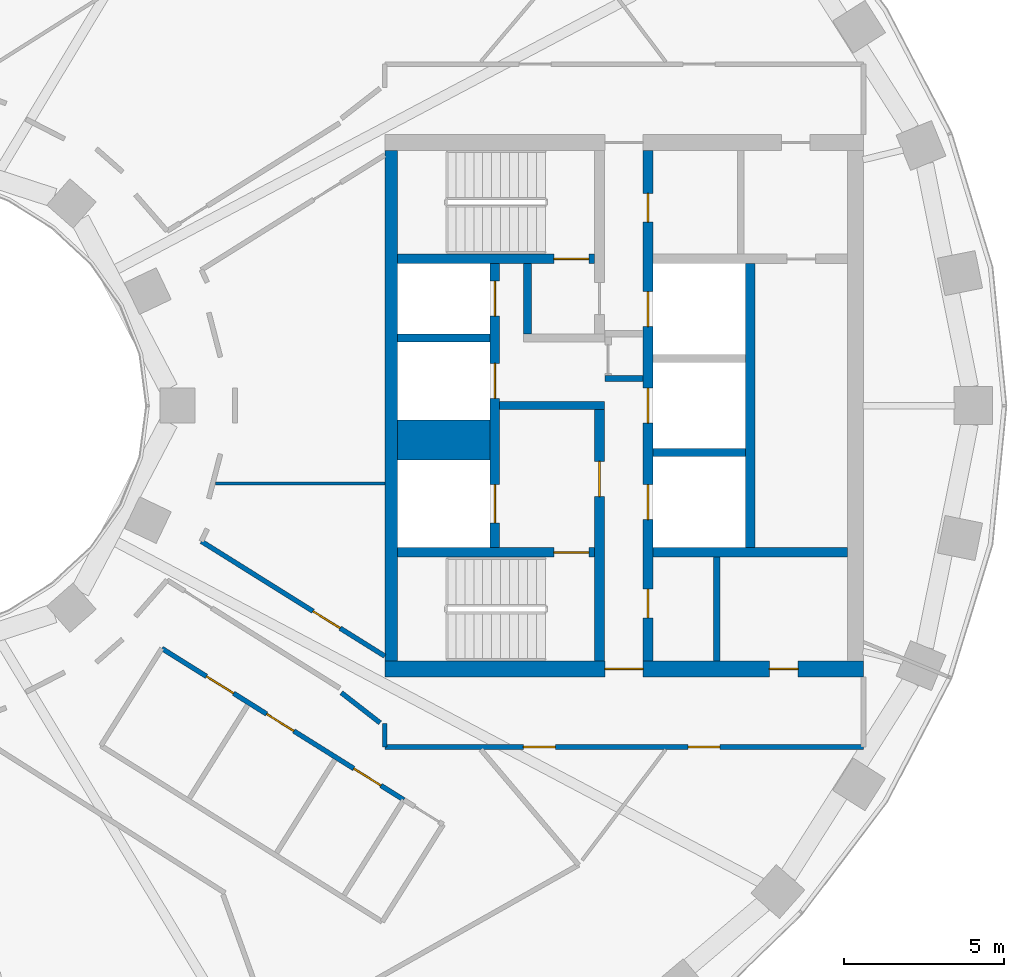
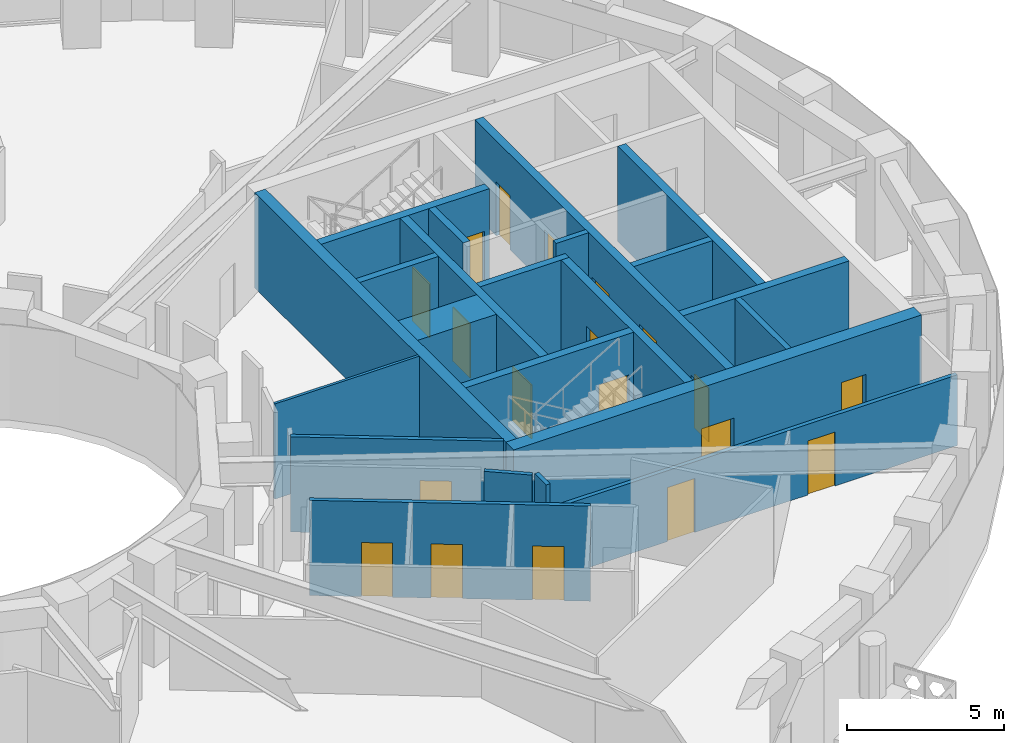
# One storey, part 5 of 15: 22 walls, 19 doors, 19 openings.
"""IFC4 building model written with IfcOpenShell, lengths in metres."""

from ifc_helpers import new_model, si_unit, direction, frame, frame_2d, origin, place, context, subcontext, project, spatial, rectangle, extrude, material, layer, layer_set, type_object, element, fill, save


model = new_model("IFC4")

# Units and contexts
model_context = context("Model", 3, precision=1e-05, world=origin(), true_north=direction((0.0, 1.0)))
body_context = subcontext(model_context, "Body", "Model", "MODEL_VIEW")
ifc_project = project(units=[si_unit("LENGTHUNIT", "METRE"), si_unit("AREAUNIT", "SQUARE_METRE"), si_unit("VOLUMEUNIT", "CUBIC_METRE"), si_unit("PLANEANGLEUNIT", "RADIAN"), si_unit("MASSUNIT", "GRAM", prefix="KILO")], contexts=[model_context])

# Site, building, storey
site_placement = place(None, origin())
site = spatial("IfcSite", under=ifc_project, at=site_placement, CompositionType="ELEMENT")
building_placement = place(site_placement, origin())
building = spatial("IfcBuilding", under=site, at=building_placement, Name="Noorbagh Ring Tower", CompositionType="ELEMENT")
storey_placement = place(building_placement, frame((0.0, 0.0, 158.0)))
storey = spatial("IfcBuildingStorey", under=building, at=storey_placement, Name="L36", CompositionType="ELEMENT", Elevation=158.0)

# Walls
ifc_material_1 = material(Name="Gypsum board on steel studs", Category="steel")
ifc_layer_1 = layer(ifc_material_1, 0.199951171875)
ifc_layer_set_1 = layer_set([ifc_layer_1], Name="Gypsum board on steel studs")
wall_type_1 = type_object("IfcWallType", Name="CORE-PARTITION-200", PredefinedType="PARTITIONING", material=ifc_layer_set_1)
wall_1_placement = place(storey_placement, frame((23.39990234375, 0.85009765625, 0.0), z_axis=(0.0, 0.0, 1.0), x_axis=(1.0, 0.0, 0.0)))
element("IfcWall", 1, at=wall_1_placement, inside=storey, type_object=wall_type_1, Name="Core partition E", PredefinedType="PARTITIONING", context=body_context, shape_type="SweptSolid", body=[
    extrude(rectangle(XDim=1.2001953125, YDim=0.199951171875, at=frame_2d((0.60009765625, 0.0))), origin(), (0.0, 0.0, 1.0), 3.699951171875),
])
wall_2_placement = place(storey_placement, frame((26.89990234375, -8.0, 0.0), z_axis=(0.0, 0.0, 1.0), x_axis=(0.0, 1.0, 0.0)))
element("IfcWall", 2, at=wall_2_placement, inside=storey, type_object=wall_type_1, Name="Core partition E", PredefinedType="PARTITIONING", context=body_context, shape_type="SweptSolid", body=[
    extrude(rectangle(XDim=3.25, YDim=0.199951171875, at=frame_2d((1.625, 0.0))), origin(), (0.0, 0.0, 1.0), 3.699951171875),
])
ifc_material_2 = material(Name="Concrete C60/75", Category="concrete")
ifc_layer_2 = layer(ifc_material_2, 1.25)
ifc_layer_set_2 = layer_set([ifc_layer_2], Name="Concrete C60/75")
wall_type_2 = type_object("IfcWallType", Name="CORE-WALL-1250-C60-75-EI120", PredefinedType="SHEAR", material=ifc_layer_set_2)
wall_3_placement = place(storey_placement, frame((16.89990234375, -1.074951171875, 0.0), z_axis=(0.0, 0.0, 1.0), x_axis=(1.0, 0.0, 0.0)))
element("IfcWall", 3, at=wall_3_placement, inside=storey, type_object=wall_type_2, Name="Core wall E", PredefinedType="SHEAR", context=body_context, shape_type="SweptSolid", body=[
    extrude(rectangle(XDim=2.900146484375, YDim=1.25, at=frame_2d((1.4501953125, 0.0))), origin(), (0.0, 0.0, 1.0), 3.699951171875),
])
ifc_material_3 = material(Name="Concrete C60/75", Category="concrete")
ifc_layer_3 = layer(ifc_material_3, 0.25)
ifc_layer_set_3 = layer_set([ifc_layer_3], Name="Concrete C60/75")
wall_type_3 = type_object("IfcWallType", Name="CORE-WALL-250-C60-75-EI120", PredefinedType="SHEAR", material=ifc_layer_set_3)
for number, where, z_axis, x_axis, name in (
    (4, (16.89990234375, 2.125, 0.0), (0.0, 0.0, 1.0), (1.0, 0.0, 0.0), "Core wall E"),
    (5, (24.89990234375, -1.47509765625, 0.0), (0.0, 0.0, 1.0), (1.0, 0.0, 0.0), "Core wall E"),
):
    element("IfcWall", number, at=place(storey_placement, frame(where, z_axis=z_axis, x_axis=x_axis)), inside=storey, type_object=wall_type_3, Name=name, PredefinedType="SHEAR", context=body_context, shape_type="SweptSolid", body=[
        extrude(rectangle(XDim=2.900146484375, YDim=0.25, at=frame_2d((1.4501953125, 0.0))), origin(), (0.0, 0.0, 1.0), 3.699951171875),
    ])
ifc_material_4 = material(Name="Concrete C60/75", Category="concrete")
ifc_layer_4 = layer(ifc_material_4, 0.25)
ifc_layer_set_4 = layer_set([ifc_layer_4], Name="Concrete C60/75")
wall_type_4 = type_object("IfcWallType", Name="CORE-WALL-250-C60-75-EI240", PredefinedType="SHEAR", material=ifc_layer_set_4)
wall_4_placement = place(storey_placement, frame((20.10009765625, 0.0, 0.0), z_axis=(0.0, 0.0, 1.0), x_axis=(1.0, 0.0, 0.0)))
element("IfcWall", 6, at=wall_4_placement, inside=storey, type_object=wall_type_4, Name="Core wall E", PredefinedType="SHEAR", context=body_context, shape_type="SweptSolid", body=[
    extrude(rectangle(XDim=3.27978515625, YDim=0.25, at=frame_2d((1.639892578125, 0.0))), origin(), (0.0, 0.0, 1.0), 3.699951171875),
])
wall_5_placement = place(storey_placement, frame((20.97509765625, 2.25, 0.0), z_axis=(0.0, 0.0, 1.0), x_axis=(0.0, 1.0, 0.0)))
element("IfcWall", 7, at=wall_5_placement, inside=storey, type_object=wall_type_4, Name="Core wall E", PredefinedType="SHEAR", context=body_context, shape_type="SweptSolid", body=[
    extrude(rectangle(XDim=2.199951171875, YDim=0.25, at=frame_2d((1.10009765625, 0.0))), origin(), (0.0, 0.0, 1.0), 3.699951171875),
])
ifc_material_5 = material(Name="Concrete C60/75", Category="concrete")
ifc_layer_5 = layer(ifc_material_5, 0.300048828125)
ifc_layer_set_5 = layer_set([ifc_layer_5], Name="Concrete C60/75")
wall_type_5 = type_object("IfcWallType", Name="CORE-WALL-300-C60-75-EI120", PredefinedType="SHEAR", material=ifc_layer_set_5)
wall_6_placement = place(storey_placement, frame((27.949951171875, -4.449951171875, 0.0), z_axis=(0.0, 0.0, 1.0), x_axis=(0.0, 1.0, 0.0)))
element("IfcWall", 8, at=wall_6_placement, inside=storey, type_object=wall_type_5, Name="Core wall E", PredefinedType="SHEAR", context=body_context, shape_type="SweptSolid", body=[
    extrude(rectangle(XDim=8.89990234375, YDim=0.300048828125, at=frame_2d((4.449951171875, 0.0))), origin(), (0.0, 0.0, 1.0), 3.699951171875),
])

# Wall, openings, doors
wall_7_placement = place(storey_placement, frame((19.949951171875, -4.449951171875, 0.0), z_axis=(0.0, 0.0, 1.0), x_axis=(0.0, 1.0, 0.0)))
wall_7 = element("IfcWall", 9, at=wall_7_placement, inside=storey, type_object=wall_type_5, Name="Core wall E", PredefinedType="SHEAR", context=body_context, shape_type="SweptSolid", body=[
    extrude(rectangle(XDim=8.89990234375, YDim=0.300048828125, at=frame_2d((4.449951171875, 0.0))), origin(), (0.0, 0.0, 1.0), 3.699951171875),
])
opening_1_placement = place(wall_7_placement, frame((0.77490234375, 0.0, 0.0)))
opening_1 = element("IfcOpeningElement", 10, at=opening_1_placement, cuts=wall_7, Name="Opening L36-CE01", PredefinedType="OPENING", context=body_context, shape_type="SweptSolid", body=[
    extrude(rectangle(XDim=1.199951171875, YDim=2.10009765625, at=frame_2d((0.60009765625, 1.050048828125))), frame((0.0, 0.16015625, 0.0), z_axis=(0.0, -1.0, 0.0), x_axis=(1.0, 0.0, 0.0)), (0.0, 0.0, 1.0), 0.320068359375),
])
opening_2_placement = place(wall_7_placement, frame((4.675048828125, 0.0, 0.0)))
opening_2 = element("IfcOpeningElement", 11, at=opening_2_placement, cuts=wall_7, Name="Opening L36-CE02", PredefinedType="OPENING", context=body_context, shape_type="SweptSolid", body=[
    extrude(rectangle(XDim=1.10009765625, YDim=2.10009765625, at=frame_2d((0.550048828125, 1.050048828125))), frame((0.0, 0.16015625, 0.0), z_axis=(0.0, -1.0, 0.0), x_axis=(1.0, 0.0, 0.0)), (0.0, 0.0, 1.0), 0.320068359375),
])
opening_3_placement = place(wall_7_placement, frame((7.25, 0.0, 0.0)))
opening_3 = element("IfcOpeningElement", 12, at=opening_3_placement, cuts=wall_7, Name="Opening L36-CE03", PredefinedType="OPENING", context=body_context, shape_type="SweptSolid", body=[
    extrude(rectangle(XDim=1.10009765625, YDim=2.10009765625, at=frame_2d((0.550048828125, 1.050048828125))), frame((0.0, 0.16015625, 0.0), z_axis=(0.0, -1.0, 0.0), x_axis=(1.0, 0.0, 0.0)), (0.0, 0.0, 1.0), 0.320068359375),
])
ifc_material_6 = material(Name="Steel door leaf", Category="steel")
door_type_1 = type_object("IfcDoorType", Name="CORE-DOOR-LD", OperationType="DOUBLE_DOOR_SLIDING", PredefinedType="DOOR", material=ifc_material_6)
door_1_placement = place(opening_2_placement, origin())
door_1 = element("IfcDoor", 13, at=door_1_placement, inside=storey, type_object=door_type_1, Name="Landing door HR7 L36-CE02", OperationType="DOUBLE_DOOR_SLIDING", OverallHeight=2.10009765625, OverallWidth=1.10009765625, PredefinedType="DOOR", context=body_context, shape_type="SweptSolid", body=[
    extrude(rectangle(XDim=1.10009765625, YDim=2.10009765625, at=frame_2d((0.550048828125, 1.050048828125))), frame((0.0, 0.02490234375, 0.0), z_axis=(0.0, -1.0, 0.0), x_axis=(1.0, 0.0, 0.0)), (0.0, 0.0, 1.0), 0.050048828125),
])
fill(opening_2, door_1)
door_2_placement = place(opening_3_placement, origin())
door_2 = element("IfcDoor", 14, at=door_2_placement, inside=storey, type_object=door_type_1, Name="Landing door HR8 L36-CE03", OperationType="DOUBLE_DOOR_SLIDING", OverallHeight=2.10009765625, OverallWidth=1.10009765625, PredefinedType="DOOR", context=body_context, shape_type="SweptSolid", body=[
    extrude(rectangle(XDim=1.10009765625, YDim=2.10009765625, at=frame_2d((0.550048828125, 1.050048828125))), frame((0.0, 0.02490234375, 0.0), z_axis=(0.0, -1.0, 0.0), x_axis=(1.0, 0.0, 0.0)), (0.0, 0.0, 1.0), 0.050048828125),
])
fill(opening_3, door_2)
ifc_material_7 = material(Name="Steel door leaf", Category="steel")
door_type_2 = type_object("IfcDoorType", Name="CORE-DOOR-LDW", OperationType="DOUBLE_DOOR_SLIDING", PredefinedType="DOOR", material=ifc_material_7)
door_3_placement = place(opening_1_placement, origin())
door_3 = element("IfcDoor", 15, at=door_3_placement, inside=storey, type_object=door_type_2, Name="Landing door FF2 L36-CE01", OperationType="DOUBLE_DOOR_SLIDING", OverallHeight=2.10009765625, OverallWidth=1.199951171875, PredefinedType="DOOR", context=body_context, shape_type="SweptSolid", body=[
    extrude(rectangle(XDim=1.199951171875, YDim=2.10009765625, at=frame_2d((0.60009765625, 1.050048828125))), frame((0.0, 0.02490234375, 0.0), z_axis=(0.0, -1.0, 0.0), x_axis=(1.0, 0.0, 0.0)), (0.0, 0.0, 1.0), 0.050048828125),
])
fill(opening_1, door_3)

wall_8_placement = place(storey_placement, frame((24.75, -8.0, 0.0), z_axis=(0.0, 0.0, 1.0), x_axis=(0.0, 1.0, 0.0)))
wall_8 = element("IfcWall", 16, at=wall_8_placement, inside=storey, type_object=wall_type_5, Name="Core wall E", PredefinedType="SHEAR", context=body_context, shape_type="SweptSolid", body=[
    extrude(rectangle(XDim=16.0, YDim=0.300048828125, at=frame_2d((8.0, 0.0))), origin(), (0.0, 0.0, 1.0), 3.699951171875),
])
opening_4_placement = place(wall_8_placement, frame((4.425048828125, 0.0, 0.0)))
opening_4 = element("IfcOpeningElement", 17, at=opening_4_placement, cuts=wall_8, Name="Opening L36-CE04", PredefinedType="OPENING", context=body_context, shape_type="SweptSolid", body=[
    extrude(rectangle(XDim=1.10009765625, YDim=2.10009765625, at=frame_2d((0.550048828125, 1.050048828125))), frame((0.0, 0.16015625, 0.0), z_axis=(0.0, -1.0, 0.0), x_axis=(1.0, 0.0, 0.0)), (0.0, 0.0, 1.0), 0.320068359375),
])
opening_5_placement = place(wall_8_placement, frame((7.449951171875, 0.0, 0.0)))
opening_5 = element("IfcOpeningElement", 18, at=opening_5_placement, cuts=wall_8, Name="Opening L36-CE05", PredefinedType="OPENING", context=body_context, shape_type="SweptSolid", body=[
    extrude(rectangle(XDim=1.10009765625, YDim=2.10009765625, at=frame_2d((0.550048828125, 1.050048828125))), frame((0.0, 0.16015625, 0.0), z_axis=(0.0, -1.0, 0.0), x_axis=(1.0, 0.0, 0.0)), (0.0, 0.0, 1.0), 0.320068359375),
])
opening_6_placement = place(wall_8_placement, frame((10.47509765625, 0.0, 0.0)))
opening_6 = element("IfcOpeningElement", 19, at=opening_6_placement, cuts=wall_8, Name="Opening L36-CE06", PredefinedType="OPENING", context=body_context, shape_type="SweptSolid", body=[
    extrude(rectangle(XDim=1.10009765625, YDim=2.10009765625, at=frame_2d((0.550048828125, 1.050048828125))), frame((0.0, 0.16015625, 0.0), z_axis=(0.0, -1.0, 0.0), x_axis=(1.0, 0.0, 0.0)), (0.0, 0.0, 1.0), 0.320068359375),
])
opening_7_placement = place(wall_8_placement, frame((13.75, 0.0, 0.0)))
opening_7 = element("IfcOpeningElement", 20, at=opening_7_placement, cuts=wall_8, Name="Opening L36-CE13", PredefinedType="OPENING", context=body_context, shape_type="SweptSolid", body=[
    extrude(rectangle(XDim=0.89990234375, YDim=2.10009765625, at=frame_2d((0.449951171875, 1.050048828125))), frame((0.0, 0.16015625, 0.0), z_axis=(0.0, -1.0, 0.0), x_axis=(1.0, 0.0, 0.0)), (0.0, 0.0, 1.0), 0.320068359375),
])
opening_8_placement = place(wall_8_placement, frame((1.35009765625, 0.0, 0.0)))
opening_8 = element("IfcOpeningElement", 21, at=opening_8_placement, cuts=wall_8, Name="Opening L36-CE15", PredefinedType="OPENING", context=body_context, shape_type="SweptSolid", body=[
    extrude(rectangle(XDim=0.89990234375, YDim=2.10009765625, at=frame_2d((0.449951171875, 1.050048828125))), frame((0.0, 0.16015625, 0.0), z_axis=(0.0, -1.0, 0.0), x_axis=(1.0, 0.0, 0.0)), (0.0, 0.0, 1.0), 0.320068359375),
])
ifc_material_8 = material(Name="Steel door leaf", Category="steel")
door_type_3 = type_object("IfcDoorType", Name="CORE-DOOR-DROOM", OperationType="SINGLE_SWING_LEFT", PredefinedType="DOOR", material=ifc_material_8)
door_4_placement = place(opening_7_placement, origin())
door_4 = element("IfcDoor", 22, at=door_4_placement, inside=storey, type_object=door_type_3, Name="Core room door L36-CE13", OperationType="SINGLE_SWING_LEFT", OverallHeight=2.10009765625, OverallWidth=0.89990234375, PredefinedType="DOOR", context=body_context, shape_type="SweptSolid", body=[
    extrude(rectangle(XDim=0.89990234375, YDim=2.10009765625, at=frame_2d((0.449951171875, 1.050048828125))), frame((0.0, 0.02490234375, 0.0), z_axis=(0.0, -1.0, 0.0), x_axis=(1.0, 0.0, 0.0)), (0.0, 0.0, 1.0), 0.050048828125),
])
fill(opening_7, door_4)
door_5_placement = place(opening_8_placement, origin())
door_5 = element("IfcDoor", 23, at=door_5_placement, inside=storey, type_object=door_type_3, Name="Core room door L36-CE15", OperationType="SINGLE_SWING_RIGHT", OverallHeight=2.10009765625, OverallWidth=0.89990234375, PredefinedType="DOOR", context=body_context, shape_type="SweptSolid", body=[
    extrude(rectangle(XDim=0.89990234375, YDim=2.10009765625, at=frame_2d((0.449951171875, 1.050048828125))), frame((0.0, 0.02490234375, 0.0), z_axis=(0.0, -1.0, 0.0), x_axis=(1.0, 0.0, 0.0)), (0.0, 0.0, 1.0), 0.050048828125),
])
fill(opening_8, door_5)
door_6_placement = place(opening_4_placement, origin())
door_6 = element("IfcDoor", 24, at=door_6_placement, inside=storey, type_object=door_type_1, Name="Landing door HR9 L36-CE04", OperationType="DOUBLE_DOOR_SLIDING", OverallHeight=2.10009765625, OverallWidth=1.10009765625, PredefinedType="DOOR", context=body_context, shape_type="SweptSolid", body=[
    extrude(rectangle(XDim=1.10009765625, YDim=2.10009765625, at=frame_2d((0.550048828125, 1.050048828125))), frame((0.0, 0.02490234375, 0.0), z_axis=(0.0, -1.0, 0.0), x_axis=(1.0, 0.0, 0.0)), (0.0, 0.0, 1.0), 0.050048828125),
])
fill(opening_4, door_6)
door_7_placement = place(opening_5_placement, origin())
door_7 = element("IfcDoor", 25, at=door_7_placement, inside=storey, type_object=door_type_1, Name="Landing door HR10 L36-CE05", OperationType="DOUBLE_DOOR_SLIDING", OverallHeight=2.10009765625, OverallWidth=1.10009765625, PredefinedType="DOOR", context=body_context, shape_type="SweptSolid", body=[
    extrude(rectangle(XDim=1.10009765625, YDim=2.10009765625, at=frame_2d((0.550048828125, 1.050048828125))), frame((0.0, 0.02490234375, 0.0), z_axis=(0.0, -1.0, 0.0), x_axis=(1.0, 0.0, 0.0)), (0.0, 0.0, 1.0), 0.050048828125),
])
fill(opening_5, door_7)
door_8_placement = place(opening_6_placement, origin())
door_8 = element("IfcDoor", 26, at=door_8_placement, inside=storey, type_object=door_type_1, Name="Landing door HR11 L36-CE06", OperationType="DOUBLE_DOOR_SLIDING", OverallHeight=2.10009765625, OverallWidth=1.10009765625, PredefinedType="DOOR", context=body_context, shape_type="SweptSolid", body=[
    extrude(rectangle(XDim=1.10009765625, YDim=2.10009765625, at=frame_2d((0.550048828125, 1.050048828125))), frame((0.0, 0.02490234375, 0.0), z_axis=(0.0, -1.0, 0.0), x_axis=(1.0, 0.0, 0.0)), (0.0, 0.0, 1.0), 0.050048828125),
])
fill(opening_6, door_8)

# Wall
ifc_material_9 = material(Name="Concrete C60/75", Category="concrete")
ifc_layer_6 = layer(ifc_material_9, 0.300048828125)
ifc_layer_set_6 = layer_set([ifc_layer_6], Name="Concrete C60/75")
wall_type_6 = type_object("IfcWallType", Name="CORE-WALL-300-C60-75-EI240", PredefinedType="SHEAR", material=ifc_layer_set_6)
wall_9_placement = place(storey_placement, frame((24.89990234375, -4.60009765625, 0.0), z_axis=(0.0, 0.0, 1.0), x_axis=(1.0, 0.0, 0.0)))
element("IfcWall", 27, at=wall_9_placement, inside=storey, type_object=wall_type_6, Name="Core wall E", PredefinedType="SHEAR", context=body_context, shape_type="SweptSolid", body=[
    extrude(rectangle(XDim=6.10009765625, YDim=0.300048828125, at=frame_2d((3.050048828125, 0.0))), origin(), (0.0, 0.0, 1.0), 3.699951171875),
])

# Wall, opening, door
wall_10_placement = place(storey_placement, frame((23.22998046875, -8.0, 0.0), z_axis=(0.0, 0.0, 1.0), x_axis=(0.0, 1.0, 0.0)))
wall_10 = element("IfcWall", 28, at=wall_10_placement, inside=storey, type_object=wall_type_6, Name="Core wall E", PredefinedType="SHEAR", context=body_context, shape_type="SweptSolid", body=[
    extrude(rectangle(XDim=7.875, YDim=0.300048828125, at=frame_2d((3.9375, 0.0))), origin(), (0.0, 0.0, 1.0), 3.699951171875),
])
opening_9_placement = place(wall_10_placement, frame((5.14990234375, 0.0, 0.0)))
opening_9 = element("IfcOpeningElement", 29, at=opening_9_placement, cuts=wall_10, Name="Opening L36-CE09", PredefinedType="OPENING", context=body_context, shape_type="SweptSolid", body=[
    extrude(rectangle(XDim=1.10009765625, YDim=2.10009765625, at=frame_2d((0.550048828125, 1.050048828125))), frame((0.0, 0.16015625, 0.0), z_axis=(0.0, -1.0, 0.0), x_axis=(1.0, 0.0, 0.0)), (0.0, 0.0, 1.0), 0.320068359375),
])
ifc_material_10 = material(Name="Steel door leaf", Category="steel")
door_type_4 = type_object("IfcDoorType", Name="CORE-DOOR-DFF", OperationType="SINGLE_SWING_LEFT", PredefinedType="DOOR", material=ifc_material_10)
door_9_placement = place(opening_9_placement, origin())
door_9 = element("IfcDoor", 30, at=door_9_placement, inside=storey, type_object=door_type_4, Name="Firefighting lobby door L36-CE09", OperationType="SINGLE_SWING_RIGHT", OverallHeight=2.10009765625, OverallWidth=1.10009765625, PredefinedType="DOOR", context=body_context, shape_type="SweptSolid", body=[
    extrude(rectangle(XDim=1.10009765625, YDim=2.10009765625, at=frame_2d((0.550048828125, 1.050048828125))), frame((0.0, 0.02490234375, 0.0), z_axis=(0.0, -1.0, 0.0), x_axis=(1.0, 0.0, 0.0)), (0.0, 0.0, 1.0), 0.050048828125),
])
fill(opening_9, door_9)

wall_11_placement = place(storey_placement, frame((16.89990234375, 4.60009765625, 0.0), z_axis=(0.0, 0.0, 1.0), x_axis=(1.0, 0.0, 0.0)))
wall_11 = element("IfcWall", 31, at=wall_11_placement, inside=storey, type_object=wall_type_6, Name="Core wall E", PredefinedType="SHEAR", context=body_context, shape_type="SweptSolid", body=[
    extrude(rectangle(XDim=6.18017578125, YDim=0.300048828125, at=frame_2d((3.090087890625, 0.0))), origin(), (0.0, 0.0, 1.0), 3.699951171875),
])
opening_10_placement = place(wall_11_placement, frame((4.89990234375, 0.0, 0.0)))
opening_10 = element("IfcOpeningElement", 32, at=opening_10_placement, cuts=wall_11, Name="Opening L36-CE07", PredefinedType="OPENING", context=body_context, shape_type="SweptSolid", body=[
    extrude(rectangle(XDim=1.10009765625, YDim=2.10009765625, at=frame_2d((0.550048828125, 1.050048828125))), frame((0.0, 0.16015625, 0.0), z_axis=(0.0, -1.0, 0.0), x_axis=(1.0, 0.0, 0.0)), (0.0, 0.0, 1.0), 0.320068359375),
])
ifc_material_11 = material(Name="Steel door leaf", Category="steel")
door_type_5 = type_object("IfcDoorType", Name="CORE-DOOR-DSTAIR", OperationType="SINGLE_SWING_LEFT", PredefinedType="DOOR", material=ifc_material_11)
door_10_placement = place(opening_10_placement, origin())
door_10 = element("IfcDoor", 33, at=door_10_placement, inside=storey, type_object=door_type_5, Name="Stair door ST3 L36-CE07", OperationType="SINGLE_SWING_LEFT", OverallHeight=2.10009765625, OverallWidth=1.10009765625, PredefinedType="DOOR", context=body_context, shape_type="SweptSolid", body=[
    extrude(rectangle(XDim=1.10009765625, YDim=2.10009765625, at=frame_2d((0.550048828125, 1.050048828125))), frame((0.0, 0.02490234375, 0.0), z_axis=(0.0, -1.0, 0.0), x_axis=(1.0, 0.0, 0.0)), (0.0, 0.0, 1.0), 0.050048828125),
])
fill(opening_10, door_10)

wall_12_placement = place(storey_placement, frame((16.89990234375, -4.60009765625, 0.0), z_axis=(0.0, 0.0, 1.0), x_axis=(1.0, 0.0, 0.0)))
wall_12 = element("IfcWall", 34, at=wall_12_placement, inside=storey, type_object=wall_type_6, Name="Core wall E", PredefinedType="SHEAR", context=body_context, shape_type="SweptSolid", body=[
    extrude(rectangle(XDim=6.18017578125, YDim=0.300048828125, at=frame_2d((3.090087890625, 0.0))), origin(), (0.0, 0.0, 1.0), 3.699951171875),
])
opening_11_placement = place(wall_12_placement, frame((4.89990234375, 0.0, 0.0)))
opening_11 = element("IfcOpeningElement", 35, at=opening_11_placement, cuts=wall_12, Name="Opening L36-CE08", PredefinedType="OPENING", context=body_context, shape_type="SweptSolid", body=[
    extrude(rectangle(XDim=1.10009765625, YDim=2.10009765625, at=frame_2d((0.550048828125, 1.050048828125))), frame((0.0, 0.16015625, 0.0), z_axis=(0.0, -1.0, 0.0), x_axis=(1.0, 0.0, 0.0)), (0.0, 0.0, 1.0), 0.320068359375),
])
door_11_placement = place(opening_11_placement, origin())
door_11 = element("IfcDoor", 36, at=door_11_placement, inside=storey, type_object=door_type_5, Name="Stair door ST4 L36-CE08", OperationType="SINGLE_SWING_RIGHT", OverallHeight=2.10009765625, OverallWidth=1.10009765625, PredefinedType="DOOR", context=body_context, shape_type="SweptSolid", body=[
    extrude(rectangle(XDim=1.10009765625, YDim=2.10009765625, at=frame_2d((0.550048828125, 1.050048828125))), frame((0.0, 0.02490234375, 0.0), z_axis=(0.0, -1.0, 0.0), x_axis=(1.0, 0.0, 0.0)), (0.0, 0.0, 1.0), 0.050048828125),
])
fill(opening_11, door_11)

# Wall
ifc_material_12 = material(Name="Concrete C60/75", Category="concrete")
ifc_layer_7 = layer(ifc_material_12, 0.39990234375)
ifc_layer_set_7 = layer_set([ifc_layer_7], Name="Concrete C60/75")
wall_type_7 = type_object("IfcWallType", Name="CORE-WALL-400-C60-75-EI240", PredefinedType="SHEAR", material=ifc_layer_set_7)
wall_13_placement = place(storey_placement, frame((16.699951171875, -8.0, 0.0), z_axis=(0.0, 0.0, 1.0), x_axis=(0.0, 1.0, 0.0)))
element("IfcWall", 37, at=wall_13_placement, inside=storey, type_object=wall_type_7, Name="Core wall E", PredefinedType="SHEAR", context=body_context, shape_type="SweptSolid", body=[
    extrude(rectangle(XDim=16.0, YDim=0.39990234375, at=frame_2d((8.0, 0.0))), origin(), (0.0, 0.0, 1.0), 3.699951171875),
])

# Wall, openings, doors
ifc_material_13 = material(Name="Concrete C60/75", Category="concrete")
ifc_layer_8 = layer(ifc_material_13, 0.5)
ifc_layer_set_8 = layer_set([ifc_layer_8], Name="Concrete C60/75")
wall_type_8 = type_object("IfcWallType", Name="CORE-WALL-500-C60-75-EI240", PredefinedType="SHEAR", material=ifc_layer_set_8)
wall_14_placement = place(storey_placement, frame((16.5, -8.25, 0.0), z_axis=(0.0, 0.0, 1.0), x_axis=(1.0, 0.0, 0.0)))
wall_14 = element("IfcWall", 38, at=wall_14_placement, inside=storey, type_object=wall_type_8, Name="Core wall E", PredefinedType="SHEAR", context=body_context, shape_type="SweptSolid", body=[
    extrude(rectangle(XDim=15.0, YDim=0.5, at=frame_2d((7.5, 0.0))), origin(), (0.0, 0.0, 1.0), 3.699951171875),
])
opening_12_placement = place(wall_14_placement, frame((6.89990234375, 0.0, 0.0)))
opening_12 = element("IfcOpeningElement", 39, at=opening_12_placement, cuts=wall_14, Name="Opening L36-CE12", PredefinedType="OPENING", context=body_context, shape_type="SweptSolid", body=[
    extrude(rectangle(XDim=1.199951171875, YDim=2.10009765625, at=frame_2d((0.60009765625, 1.050048828125))), frame((0.0, 0.260009765625, 0.0), z_axis=(0.0, -1.0, 0.0), x_axis=(1.0, 0.0, 0.0)), (0.0, 0.0, 1.0), 0.52001953125),
])
opening_13_placement = place(wall_14_placement, frame((12.050048828125, 0.0, 0.0)))
opening_13 = element("IfcOpeningElement", 40, at=opening_13_placement, cuts=wall_14, Name="Opening L36-CE16", PredefinedType="OPENING", context=body_context, shape_type="SweptSolid", body=[
    extrude(rectangle(XDim=0.89990234375, YDim=2.10009765625, at=frame_2d((0.449951171875, 1.050048828125))), frame((0.0, 0.260009765625, 0.0), z_axis=(0.0, -1.0, 0.0), x_axis=(1.0, 0.0, 0.0)), (0.0, 0.0, 1.0), 0.52001953125),
])
door_12_placement = place(opening_13_placement, origin())
door_12 = element("IfcDoor", 41, at=door_12_placement, inside=storey, type_object=door_type_3, Name="Core room door L36-CE16", OperationType="SINGLE_SWING_RIGHT", OverallHeight=2.10009765625, OverallWidth=0.89990234375, PredefinedType="DOOR", context=body_context, shape_type="SweptSolid", body=[
    extrude(rectangle(XDim=0.89990234375, YDim=2.10009765625, at=frame_2d((0.449951171875, 1.050048828125))), frame((0.0, 0.02490234375, 0.0), z_axis=(0.0, -1.0, 0.0), x_axis=(1.0, 0.0, 0.0)), (0.0, 0.0, 1.0), 0.050048828125),
])
fill(opening_13, door_12)
ifc_material_14 = material(Name="Steel door leaf", Category="steel")
door_type_6 = type_object("IfcDoorType", Name="CORE-DOOR-PORT", OperationType="DOUBLE_DOOR_DOUBLE_SWING", PredefinedType="DOOR", material=ifc_material_14)
door_13_placement = place(opening_12_placement, origin())
door_13 = element("IfcDoor", 42, at=door_13_placement, inside=storey, type_object=door_type_6, Name="Core entrance door L36-CE12", OperationType="DOUBLE_DOOR_DOUBLE_SWING", OverallHeight=2.10009765625, OverallWidth=1.199951171875, PredefinedType="DOOR", context=body_context, shape_type="SweptSolid", body=[
    extrude(rectangle(XDim=1.199951171875, YDim=2.10009765625, at=frame_2d((0.60009765625, 1.050048828125))), frame((0.0, 0.02490234375, 0.0), z_axis=(0.0, -1.0, 0.0), x_axis=(1.0, 0.0, 0.0)), (0.0, 0.0, 1.0), 0.050048828125),
])
fill(opening_12, door_13)

ifc_material_15 = material(Name="Gypsum board on steel studs", Category="steel")
ifc_layer_9 = layer(ifc_material_15, 0.14990234375)
ifc_layer_set_9 = layer_set([ifc_layer_9], Name="Gypsum board on steel studs")
wall_type_9 = type_object("IfcWallType", Name="CORRIDOR PARTITION 150 EI 30", PredefinedType="PARTITIONING", material=ifc_layer_set_9)
wall_15_placement = place(storey_placement, frame((9.513916015625, -7.610107421875, 0.0), z_axis=(0.0, 0.0, 1.0), x_axis=(0.847740567707, -0.530411095155, 0.0)))
wall_15 = element("IfcWall", 43, at=wall_15_placement, inside=storey, type_object=wall_type_9, Name="L36/wall/P60", PredefinedType="PARTITIONING", context=body_context, shape_type="SweptSolid", body=[
    extrude(rectangle(XDim=8.94384765625, YDim=0.14990234375, at=frame_2d((4.471923828125, 0.0))), origin(), (0.0, 0.0, 1.0), 3.699951171875),
])
opening_14_placement = place(wall_15_placement, frame((1.64990234375, 0.0, 0.0)))
opening_14 = element("IfcOpeningElement", 44, at=opening_14_placement, cuts=wall_15, Name="Opening D3", PredefinedType="OPENING", context=body_context, shape_type="SweptSolid", body=[
    extrude(rectangle(XDim=1.0, YDim=2.10009765625, at=frame_2d((0.5, 1.050048828125))), frame((0.0, 0.0849609375, 0.0), z_axis=(0.0, -1.0, 0.0), x_axis=(1.0, 0.0, 0.0)), (0.0, 0.0, 1.0), 0.169921875),
])
opening_15_placement = place(wall_15_placement, frame((3.874267578125, 0.0, 0.0)))
opening_15 = element("IfcOpeningElement", 45, at=opening_15_placement, cuts=wall_15, Name="Opening D3", PredefinedType="OPENING", context=body_context, shape_type="SweptSolid", body=[
    extrude(rectangle(XDim=1.0, YDim=2.10009765625, at=frame_2d((0.5, 1.050048828125))), frame((0.0, 0.0849609375, 0.0), z_axis=(0.0, -1.0, 0.0), x_axis=(1.0, 0.0, 0.0)), (0.0, 0.0, 1.0), 0.169921875),
])
opening_16_placement = place(wall_15_placement, frame((7.097900390625, 0.0, 0.0)))
opening_16 = element("IfcOpeningElement", 46, at=opening_16_placement, cuts=wall_15, Name="Opening D3", PredefinedType="OPENING", context=body_context, shape_type="SweptSolid", body=[
    extrude(rectangle(XDim=1.0, YDim=2.10009765625, at=frame_2d((0.5, 1.050048828125))), frame((0.0, 0.0849609375, 0.0), z_axis=(0.0, -1.0, 0.0), x_axis=(1.0, 0.0, 0.0)), (0.0, 0.0, 1.0), 0.169921875),
])
ifc_material_16 = material(Name="Timber, painted", Category="wood")
door_type_7 = type_object("IfcDoorType", Name="DOOR 1000 X 2100 WC", OperationType="SINGLE_SWING_LEFT", PredefinedType="DOOR", material=ifc_material_16)
door_14_placement = place(opening_14_placement, origin())
door_14 = element("IfcDoor", 47, at=door_14_placement, inside=storey, type_object=door_type_7, Name="L36-D02", OperationType="SINGLE_SWING_RIGHT", OverallHeight=2.10009765625, OverallWidth=1.0, PredefinedType="DOOR", context=body_context, shape_type="SweptSolid", body=[
    extrude(rectangle(XDim=1.0, YDim=2.10009765625, at=frame_2d((0.5, 1.050048828125))), frame((0.0, 0.02490234375, 0.0), z_axis=(0.0, -1.0, 0.0), x_axis=(1.0, 0.0, 0.0)), (0.0, 0.0, 1.0), 0.050048828125),
])
fill(opening_14, door_14)
door_15_placement = place(opening_15_placement, origin())
door_15 = element("IfcDoor", 48, at=door_15_placement, inside=storey, type_object=door_type_7, Name="L36-D03", OperationType="SINGLE_SWING_LEFT", OverallHeight=2.10009765625, OverallWidth=1.0, PredefinedType="DOOR", context=body_context, shape_type="SweptSolid", body=[
    extrude(rectangle(XDim=1.0, YDim=2.10009765625, at=frame_2d((0.5, 1.050048828125))), frame((0.0, 0.02490234375, 0.0), z_axis=(0.0, -1.0, 0.0), x_axis=(1.0, 0.0, 0.0)), (0.0, 0.0, 1.0), 0.050048828125),
])
fill(opening_15, door_15)
door_16_placement = place(opening_16_placement, origin())
door_16 = element("IfcDoor", 49, at=door_16_placement, inside=storey, type_object=door_type_7, Name="L36-D04", OperationType="SINGLE_SWING_RIGHT", OverallHeight=2.10009765625, OverallWidth=1.0, PredefinedType="DOOR", context=body_context, shape_type="SweptSolid", body=[
    extrude(rectangle(XDim=1.0, YDim=2.10009765625, at=frame_2d((0.5, 1.050048828125))), frame((0.0, 0.02490234375, 0.0), z_axis=(0.0, -1.0, 0.0), x_axis=(1.0, 0.0, 0.0)), (0.0, 0.0, 1.0), 0.050048828125),
])
fill(opening_16, door_16)

# Wall, opening, door
wall_16_placement = place(storey_placement, frame((10.751953125, -4.25390625, 0.0), z_axis=(0.0, 0.0, 1.0), x_axis=(0.847690706888, -0.530490777917, 0.0)))
wall_16 = element("IfcWall", 50, at=wall_16_placement, inside=storey, type_object=wall_type_9, Name="L36/wall/P65", PredefinedType="PARTITIONING", context=body_context, shape_type="SweptSolid", body=[
    extrude(rectangle(XDim=6.78076171875, YDim=0.14990234375, at=frame_2d((3.390380859375, 0.0))), origin(), (0.0, 0.0, 1.0), 3.699951171875),
])
opening_17_placement = place(wall_16_placement, frame((4.12939453125, 0.0, 0.0)))
opening_17 = element("IfcOpeningElement", 51, at=opening_17_placement, cuts=wall_16, Name="Opening D1", PredefinedType="OPENING", context=body_context, shape_type="SweptSolid", body=[
    extrude(rectangle(XDim=1.0, YDim=2.10009765625, at=frame_2d((0.5, 1.050048828125))), frame((0.0, 0.0849609375, 0.0), z_axis=(0.0, -1.0, 0.0), x_axis=(1.0, 0.0, 0.0)), (0.0, 0.0, 1.0), 0.169921875),
])
ifc_material_17 = material(Name="Timber, painted", Category="wood")
door_type_8 = type_object("IfcDoorType", Name="DOOR 1000 X 2100 FD30", OperationType="SINGLE_SWING_LEFT", PredefinedType="DOOR", material=ifc_material_17)
door_17_placement = place(opening_17_placement, origin())
door_17 = element("IfcDoor", 52, at=door_17_placement, inside=storey, type_object=door_type_8, Name="L36-D19", OperationType="SINGLE_SWING_LEFT", OverallHeight=2.10009765625, OverallWidth=1.0, PredefinedType="DOOR", context=body_context, shape_type="SweptSolid", body=[
    extrude(rectangle(XDim=1.0, YDim=2.10009765625, at=frame_2d((0.5, 1.050048828125))), frame((0.0, 0.02490234375, 0.0), z_axis=(0.0, -1.0, 0.0), x_axis=(1.0, 0.0, 0.0)), (0.0, 0.0, 1.0), 0.050048828125),
])
fill(opening_17, door_17)

# Wall
wall_17_placement = place(storey_placement, frame((16.5, -10.699951171875, 0.0), z_axis=(0.0, 0.0, 1.0), x_axis=(0.0, 1.0, 0.0)))
element("IfcWall", 53, at=wall_17_placement, inside=storey, type_object=wall_type_9, Name="L36/wall/P79", PredefinedType="PARTITIONING", context=body_context, shape_type="SweptSolid", body=[
    extrude(rectangle(XDim=0.73583984375, YDim=0.14990234375, at=frame_2d((0.367919921875, 0.0))), origin(), (0.0, 0.0, 1.0), 3.699951171875),
])

# Wall, openings, doors
wall_18_placement = place(storey_placement, frame((16.5, -10.699951171875, 0.0), z_axis=(0.0, 0.0, 1.0), x_axis=(1.0, 0.0, 0.0)))
wall_18 = element("IfcWall", 54, at=wall_18_placement, inside=storey, type_object=wall_type_9, Name="L36/wall/P80", PredefinedType="PARTITIONING", context=body_context, shape_type="SweptSolid", body=[
    extrude(rectangle(XDim=15.0, YDim=0.14990234375, at=frame_2d((7.5, 0.0))), origin(), (0.0, 0.0, 1.0), 2.75),
])
opening_18_placement = place(wall_18_placement, frame((4.344970703125, 0.0, 0.0)))
opening_18 = element("IfcOpeningElement", 55, at=opening_18_placement, cuts=wall_18, Name="Opening D1", PredefinedType="OPENING", context=body_context, shape_type="SweptSolid", body=[
    extrude(rectangle(XDim=1.0, YDim=2.10009765625, at=frame_2d((0.5, 1.050048828125))), frame((0.0, 0.0849609375, 0.0), z_axis=(0.0, -1.0, 0.0), x_axis=(1.0, 0.0, 0.0)), (0.0, 0.0, 1.0), 0.169921875),
])
opening_19_placement = place(wall_18_placement, frame((9.5048828125, 0.0, 0.0)))
opening_19 = element("IfcOpeningElement", 56, at=opening_19_placement, cuts=wall_18, Name="Opening D1", PredefinedType="OPENING", context=body_context, shape_type="SweptSolid", body=[
    extrude(rectangle(XDim=1.0, YDim=2.10009765625, at=frame_2d((0.5, 1.050048828125))), frame((0.0, 0.0849609375, 0.0), z_axis=(0.0, -1.0, 0.0), x_axis=(1.0, 0.0, 0.0)), (0.0, 0.0, 1.0), 0.169921875),
])
door_18_placement = place(opening_18_placement, origin())
door_18 = element("IfcDoor", 57, at=door_18_placement, inside=storey, type_object=door_type_8, Name="L36-D13", OperationType="SINGLE_SWING_LEFT", OverallHeight=2.10009765625, OverallWidth=1.0, PredefinedType="DOOR", context=body_context, shape_type="SweptSolid", body=[
    extrude(rectangle(XDim=1.0, YDim=2.10009765625, at=frame_2d((0.5, 1.050048828125))), frame((0.0, 0.02490234375, 0.0), z_axis=(0.0, -1.0, 0.0), x_axis=(1.0, 0.0, 0.0)), (0.0, 0.0, 1.0), 0.050048828125),
])
fill(opening_18, door_18)
door_19_placement = place(opening_19_placement, origin())
door_19 = element("IfcDoor", 58, at=door_19_placement, inside=storey, type_object=door_type_8, Name="L36-D15", OperationType="SINGLE_SWING_LEFT", OverallHeight=2.10009765625, OverallWidth=1.0, PredefinedType="DOOR", context=body_context, shape_type="SweptSolid", body=[
    extrude(rectangle(XDim=1.0, YDim=2.10009765625, at=frame_2d((0.5, 1.050048828125))), frame((0.0, 0.02490234375, 0.0), z_axis=(0.0, -1.0, 0.0), x_axis=(1.0, 0.0, 0.0)), (0.0, 0.0, 1.0), 0.050048828125),
])
fill(opening_19, door_19)

# Walls
wall_19_placement = place(storey_placement, frame((16.35205078125, -9.94189453125, 0.0), z_axis=(0.0, 0.0, 1.0), x_axis=(-0.788950226826, 0.614457109643, 0.0)))
element("IfcWall", 59, at=wall_19_placement, inside=storey, type_object=wall_type_9, Name="L36/wall/P93", PredefinedType="PARTITIONING", context=body_context, shape_type="SweptSolid", body=[
    extrude(rectangle(XDim=1.53759765625, YDim=0.14990234375, at=frame_2d((0.768798828125, 0.0))), origin(), (0.0, 0.0, 1.0), 3.699951171875),
])
ifc_material_18 = material(Name="Gypsum board on steel studs", Category="steel")
ifc_layer_10 = layer(ifc_material_18, 0.10009765625)
ifc_layer_set_10 = layer_set([ifc_layer_10], Name="Gypsum board on steel studs")
wall_type_10 = type_object("IfcWallType", Name="PARTITION 100 GYPSUM", PredefinedType="PARTITIONING", material=ifc_layer_set_10)
wall_20_placement = place(storey_placement, frame((11.193115234375, -2.43994140625, 0.0), z_axis=(0.0, 0.0, 1.0), x_axis=(1.0, 0.0, 0.0)))
element("IfcWall", 60, at=wall_20_placement, inside=storey, type_object=wall_type_10, Name="L36/wall/P70", PredefinedType="PARTITIONING", context=body_context, shape_type="SweptSolid", body=[
    extrude(rectangle(XDim=5.306884765625, YDim=0.10009765625, at=frame_2d((2.6533203125, 0.0))), origin(), (0.0, 0.0, 1.0), 3.699951171875),
])

save(model, "model.ifc")
